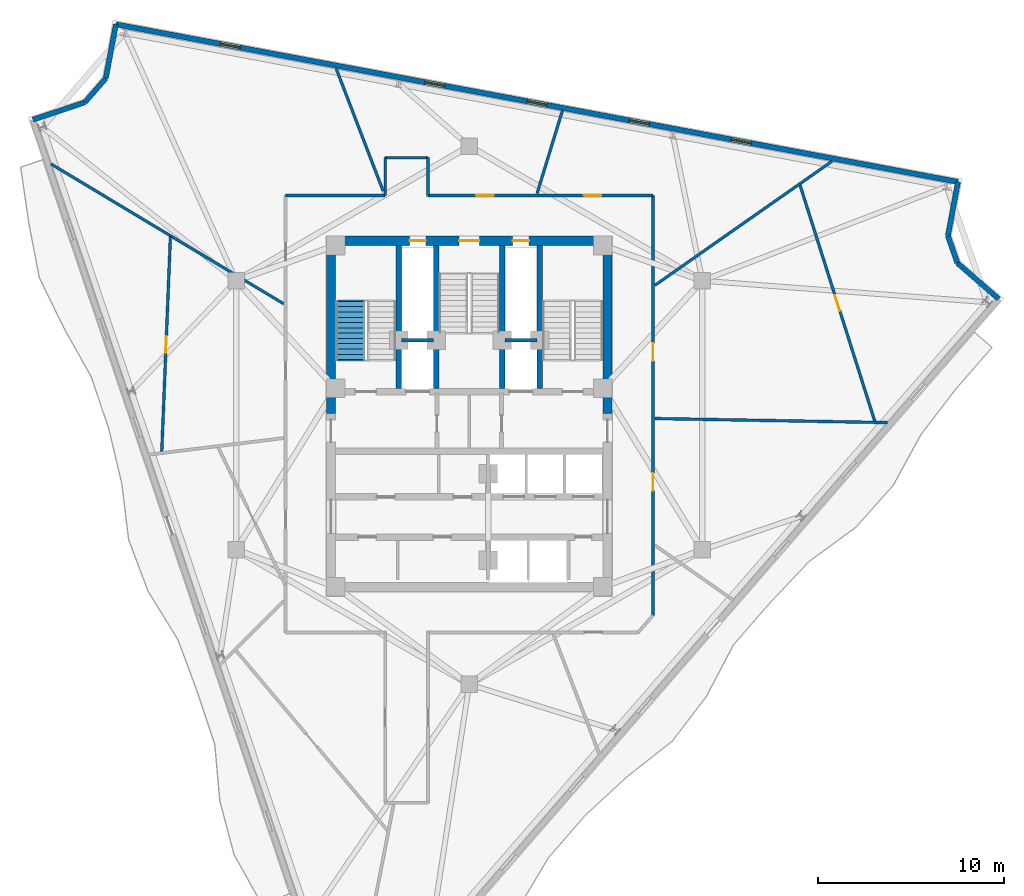
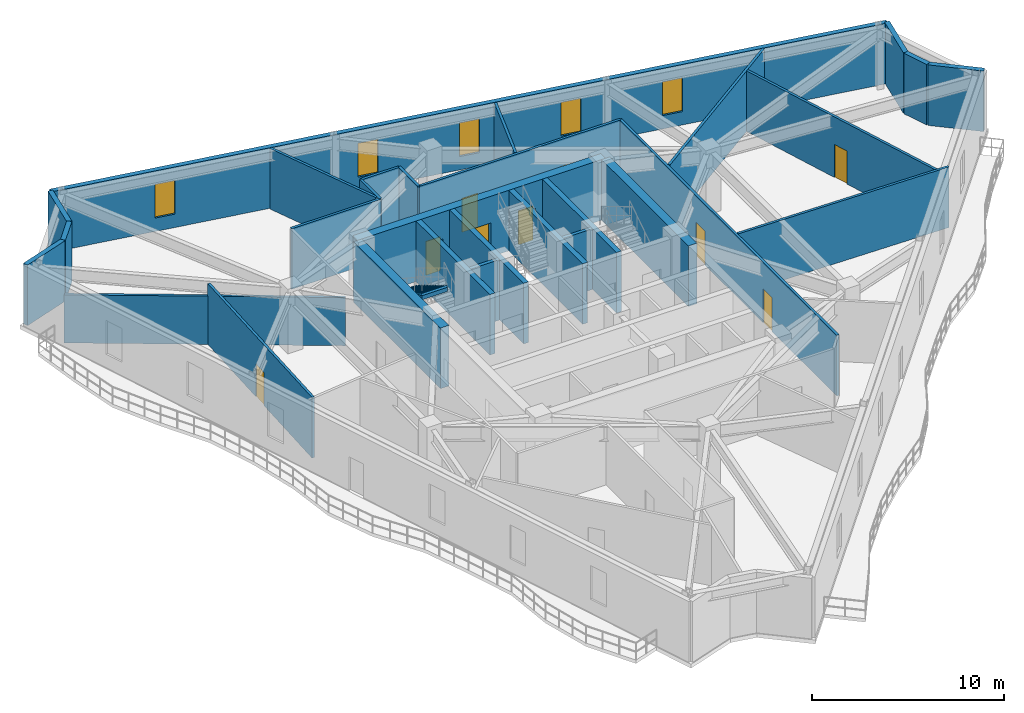
# One storey, part 6 of 10: 29 walls, 9 doors, 5 windows, 1 stair flight, 14 openings, 1 element without a shape of its own.
"""IFC4 building model written with IfcOpenShell, lengths in metres."""

from ifc_helpers import new_model, si_unit, direction, frame, frame_2d, origin, place, context, subcontext, project, spatial, polyline, rectangle, outline, extrude, material, layer, layer_set, type_object, element, fill, aggregate, save


model = new_model("IFC4")

# Units and contexts
model_context = context("Model", 3, precision=1e-05, world=origin(), true_north=direction((0.0, 1.0)))
body_context = subcontext(model_context, "Body", "Model", "MODEL_VIEW")
ifc_project = project(units=[si_unit("LENGTHUNIT", "METRE"), si_unit("AREAUNIT", "SQUARE_METRE"), si_unit("VOLUMEUNIT", "CUBIC_METRE"), si_unit("PLANEANGLEUNIT", "RADIAN"), si_unit("MASSUNIT", "GRAM", prefix="KILO")], contexts=[model_context])

# Site, building, storey
site_placement = place(None, origin())
site = spatial("IfcSite", under=ifc_project, at=site_placement, CompositionType="ELEMENT")
building_placement = place(site_placement, origin())
building = spatial("IfcBuilding", under=site, at=building_placement, Name="Apsidion Concourse Tower", CompositionType="ELEMENT")
storey_placement = place(building_placement, frame((0.0, 0.0, 269.60009765625)))
storey = spatial("IfcBuildingStorey", under=building, at=storey_placement, Name="L63", CompositionType="ELEMENT", Elevation=269.60009765625)

# Wall, openings, windows
ifc_material_1 = material(Name="Precast concrete C40/50", Category="concrete")
ifc_layer_1 = layer(ifc_material_1, 0.280029296875)
ifc_layer_set_1 = layer_set([ifc_layer_1], Name="Precast concrete C40/50")
wall_type_1 = type_object("IfcWallType", Name="WL-EXT-280", PredefinedType="STANDARD", material=ifc_layer_set_1)
wall_1_placement = place(storey_placement, frame((-19.04150390625, 21.06640625, 0.0), z_axis=(0.0, 0.0, 1.0), x_axis=(0.982948140881, -0.183882985453, 0.0)))
wall_1 = element("IfcWall", 1, at=wall_1_placement, inside=storey, type_object=wall_type_1, Name="L63 Precast Stone Facade Wall 01", PredefinedType="STANDARD", context=body_context, shape_type="SweptSolid", body=[
    extrude(rectangle(XDim=46.16259765625, YDim=0.280029296875, at=frame_2d((23.081298828125, 0.0))), origin(), (0.0, 0.0, 1.0), 3.849853515625),
])
opening_1_placement = place(wall_1_placement, frame((5.731201171875, 0.0, 0.85009765625)))
opening_1 = element("IfcOpeningElement", 2, at=opening_1_placement, cuts=wall_1, Name="Opening WN-07", PredefinedType="OPENING", context=body_context, shape_type="SweptSolid", body=[
    extrude(rectangle(XDim=1.10009765625, YDim=2.14990234375, at=frame_2d((0.550048828125, 1.074951171875))), frame((0.0, 0.14990234375, 0.0), z_axis=(0.0, -1.0, 0.0), x_axis=(1.0, 0.0, 0.0)), (0.0, 0.0, 1.0), 0.300048828125),
])
opening_2_placement = place(wall_1_placement, frame((16.931396484375, 0.0, 0.85009765625)))
opening_2 = element("IfcOpeningElement", 3, at=opening_2_placement, cuts=wall_1, Name="Opening WN-07", PredefinedType="OPENING", context=body_context, shape_type="SweptSolid", body=[
    extrude(rectangle(XDim=1.10009765625, YDim=2.14990234375, at=frame_2d((0.550048828125, 1.074951171875))), frame((0.0, 0.14990234375, 0.0), z_axis=(0.0, -1.0, 0.0), x_axis=(1.0, 0.0, 0.0)), (0.0, 0.0, 1.0), 0.300048828125),
])
opening_3_placement = place(wall_1_placement, frame((22.53125, 0.0, 0.85009765625)))
opening_3 = element("IfcOpeningElement", 4, at=opening_3_placement, cuts=wall_1, Name="Opening WN-07", PredefinedType="OPENING", context=body_context, shape_type="SweptSolid", body=[
    extrude(rectangle(XDim=1.10009765625, YDim=2.14990234375, at=frame_2d((0.550048828125, 1.074951171875))), frame((0.0, 0.14990234375, 0.0), z_axis=(0.0, -1.0, 0.0), x_axis=(1.0, 0.0, 0.0)), (0.0, 0.0, 1.0), 0.300048828125),
])
opening_4_placement = place(wall_1_placement, frame((28.13134765625, 0.0, 0.85009765625)))
opening_4 = element("IfcOpeningElement", 5, at=opening_4_placement, cuts=wall_1, Name="Opening WN-07", PredefinedType="OPENING", context=body_context, shape_type="SweptSolid", body=[
    extrude(rectangle(XDim=1.10009765625, YDim=2.14990234375, at=frame_2d((0.550048828125, 1.074951171875))), frame((0.0, 0.14990234375, 0.0), z_axis=(0.0, -1.0, 0.0), x_axis=(1.0, 0.0, 0.0)), (0.0, 0.0, 1.0), 0.300048828125),
])
opening_5_placement = place(wall_1_placement, frame((33.731201171875, 0.0, 0.85009765625)))
opening_5 = element("IfcOpeningElement", 6, at=opening_5_placement, cuts=wall_1, Name="Opening WN-07", PredefinedType="OPENING", context=body_context, shape_type="SweptSolid", body=[
    extrude(rectangle(XDim=1.10009765625, YDim=2.14990234375, at=frame_2d((0.550048828125, 1.074951171875))), frame((0.0, 0.14990234375, 0.0), z_axis=(0.0, -1.0, 0.0), x_axis=(1.0, 0.0, 0.0)), (0.0, 0.0, 1.0), 0.300048828125),
])
ifc_material_2 = material(Name="Insulated laminated low-E glass", Category="glass")
window_type = type_object("IfcWindowType", Name="WN-OFF-1123", PartitioningType="SINGLE_PANEL", PredefinedType="WINDOW", material=ifc_material_2)
window_1_placement = place(opening_1_placement, origin())
window_1 = element("IfcWindow", 7, at=window_1_placement, inside=storey, type_object=window_type, Name="L63 Punched Facade Window 1-01", OverallHeight=2.14990234375, OverallWidth=1.10009765625, PartitioningType="SINGLE_PANEL", PredefinedType="WINDOW", context=body_context, shape_type="SweptSolid", body=[
    extrude(rectangle(XDim=1.10009765625, YDim=2.14990234375, at=frame_2d((0.550048828125, 1.074951171875))), frame((0.0, 0.030029296875, 0.0), z_axis=(0.0, -1.0, 0.0), x_axis=(1.0, 0.0, 0.0)), (0.0, 0.0, 1.0), 0.06005859375),
])
fill(opening_1, window_1)
window_2_placement = place(opening_2_placement, origin())
window_2 = element("IfcWindow", 8, at=window_2_placement, inside=storey, type_object=window_type, Name="L63 Punched Facade Window 1-03", OverallHeight=2.14990234375, OverallWidth=1.10009765625, PartitioningType="SINGLE_PANEL", PredefinedType="WINDOW", context=body_context, shape_type="SweptSolid", body=[
    extrude(rectangle(XDim=1.10009765625, YDim=2.14990234375, at=frame_2d((0.550048828125, 1.074951171875))), frame((0.0, 0.030029296875, 0.0), z_axis=(0.0, -1.0, 0.0), x_axis=(1.0, 0.0, 0.0)), (0.0, 0.0, 1.0), 0.06005859375),
])
fill(opening_2, window_2)
window_3_placement = place(opening_3_placement, origin())
window_3 = element("IfcWindow", 9, at=window_3_placement, inside=storey, type_object=window_type, Name="L63 Punched Facade Window 1-04", OverallHeight=2.14990234375, OverallWidth=1.10009765625, PartitioningType="SINGLE_PANEL", PredefinedType="WINDOW", context=body_context, shape_type="SweptSolid", body=[
    extrude(rectangle(XDim=1.10009765625, YDim=2.14990234375, at=frame_2d((0.550048828125, 1.074951171875))), frame((0.0, 0.030029296875, 0.0), z_axis=(0.0, -1.0, 0.0), x_axis=(1.0, 0.0, 0.0)), (0.0, 0.0, 1.0), 0.06005859375),
])
fill(opening_3, window_3)
window_4_placement = place(opening_4_placement, origin())
window_4 = element("IfcWindow", 10, at=window_4_placement, inside=storey, type_object=window_type, Name="L63 Punched Facade Window 1-05", OverallHeight=2.14990234375, OverallWidth=1.10009765625, PartitioningType="SINGLE_PANEL", PredefinedType="WINDOW", context=body_context, shape_type="SweptSolid", body=[
    extrude(rectangle(XDim=1.10009765625, YDim=2.14990234375, at=frame_2d((0.550048828125, 1.074951171875))), frame((0.0, 0.030029296875, 0.0), z_axis=(0.0, -1.0, 0.0), x_axis=(1.0, 0.0, 0.0)), (0.0, 0.0, 1.0), 0.06005859375),
])
fill(opening_4, window_4)
window_5_placement = place(opening_5_placement, origin())
window_5 = element("IfcWindow", 11, at=window_5_placement, inside=storey, type_object=window_type, Name="L63 Punched Facade Window 1-06", OverallHeight=2.14990234375, OverallWidth=1.10009765625, PartitioningType="SINGLE_PANEL", PredefinedType="WINDOW", context=body_context, shape_type="SweptSolid", body=[
    extrude(rectangle(XDim=1.10009765625, YDim=2.14990234375, at=frame_2d((0.550048828125, 1.074951171875))), frame((0.0, 0.030029296875, 0.0), z_axis=(0.0, -1.0, 0.0), x_axis=(1.0, 0.0, 0.0)), (0.0, 0.0, 1.0), 0.06005859375),
])
fill(opening_5, window_5)

# Walls
wall_2_placement = place(storey_placement, frame((26.333984375, 12.577880859375, 0.0), z_axis=(0.0, 0.0, 1.0), x_axis=(-0.183929325972, -0.982939470694, 0.0)))
element("IfcWall", 12, at=wall_2_placement, inside=storey, type_object=wall_type_1, Name="L63 Precast Stone Facade Wall 02", PredefinedType="STANDARD", context=body_context, shape_type="SweptSolid", body=[
    extrude(rectangle(XDim=2.95458984375, YDim=0.280029296875, at=frame_2d((1.477294921875, 0.0))), origin(), (0.0, 0.0, 1.0), 3.849853515625),
])
wall_3_placement = place(storey_placement, frame((25.79052734375, 9.673583984375, 0.0), z_axis=(0.0, 0.0, 1.0), x_axis=(0.328922695325, -0.944356850189, 0.0)))
element("IfcWall", 13, at=wall_3_placement, inside=storey, type_object=wall_type_1, Name="L63 Precast Stone Facade Wall 03", PredefinedType="STANDARD", context=body_context, shape_type="SweptSolid", body=[
    extrude(rectangle(XDim=1.55419921875, YDim=0.280029296875, at=frame_2d((0.777099609375, 0.0))), origin(), (0.0, 0.0, 1.0), 3.849853515625),
])
wall_4_placement = place(storey_placement, frame((26.3017578125, 8.205810546875, 0.0), z_axis=(0.0, 0.0, 1.0), x_axis=(0.754717590568, -0.656049814028, 0.0)))
element("IfcWall", 14, at=wall_4_placement, inside=storey, type_object=wall_type_1, Name="L63 Precast Stone Facade Wall 04", PredefinedType="STANDARD", context=body_context, shape_type="SweptSolid", body=[
    extrude(rectangle(XDim=2.954345703125, YDim=0.280029296875, at=frame_2d((1.47705078125, 0.0))), origin(), (0.0, 0.0, 1.0), 3.849853515625),
])
wall_5_placement = place(storey_placement, frame((-23.511474609375, 15.92431640625, 0.0), z_axis=(0.0, 0.0, 1.0), x_axis=(0.9478040536, 0.31885337693, 0.0)))
element("IfcWall", 15, at=wall_5_placement, inside=storey, type_object=wall_type_1, Name="L63 Precast Stone Facade Wall 10", PredefinedType="STANDARD", context=body_context, shape_type="SweptSolid", body=[
    extrude(rectangle(XDim=2.95556640625, YDim=0.280029296875, at=frame_2d((1.477783203125, 0.0))), origin(), (0.0, 0.0, 1.0), 3.849853515625),
])
wall_6_placement = place(storey_placement, frame((-20.710205078125, 16.86669921875, 0.0), z_axis=(0.0, 0.0, 1.0), x_axis=(0.656062411204, 0.754706640096, 0.0)))
element("IfcWall", 16, at=wall_6_placement, inside=storey, type_object=wall_type_1, Name="L63 Precast Stone Facade Wall 11", PredefinedType="STANDARD", context=body_context, shape_type="SweptSolid", body=[
    extrude(rectangle(XDim=1.715087890625, YDim=0.280029296875, at=frame_2d((0.857421875, 0.0))), origin(), (0.0, 0.0, 1.0), 3.849853515625),
])
wall_7_placement = place(storey_placement, frame((-19.5849609375, 18.1611328125, 0.0), z_axis=(0.0, 0.0, 1.0), x_axis=(0.183869591509, 0.982950646431, 0.0)))
element("IfcWall", 17, at=wall_7_placement, inside=storey, type_object=wall_type_1, Name="L63 Precast Stone Facade Wall 12", PredefinedType="STANDARD", context=body_context, shape_type="SweptSolid", body=[
    extrude(rectangle(XDim=2.95556640625, YDim=0.280029296875, at=frame_2d((1.477783203125, 0.0))), origin(), (0.0, 0.0, 1.0), 3.849853515625),
])
ifc_material_3 = material(Name="Gypsum plasterboard partition")
ifc_layer_2 = layer(ifc_material_3, 0.14990234375)
ifc_layer_set_2 = layer_set([ifc_layer_2], Name="Gypsum plasterboard partition")
wall_type_2 = type_object("IfcWallType", Name="WL-INT-PAR-150", PredefinedType="PARTITIONING", material=ifc_layer_set_2)
wall_8_placement = place(storey_placement, frame((-9.89990234375, 11.85009765625, 0.0), z_axis=(0.0, 0.0, 1.0), x_axis=(1.0, 0.0, 0.0)))
element("IfcWall", 18, at=wall_8_placement, inside=storey, type_object=wall_type_2, Name="L63 Interior Partition WL-L63-CORR-03", PredefinedType="PARTITIONING", context=body_context, shape_type="SweptSolid", body=[
    extrude(rectangle(XDim=5.369873046875, YDim=0.14990234375, at=frame_2d((2.68505859375, 0.0))), origin(), (0.0, 0.0, 1.0), 3.849853515625),
])
wall_9_placement = place(storey_placement, frame((-4.530029296875, 11.85009765625, 0.0), z_axis=(0.0, 0.0, 1.0), x_axis=(0.0, 1.0, 0.0)))
element("IfcWall", 19, at=wall_9_placement, inside=storey, type_object=wall_type_2, Name="L63 Interior Partition WL-L63-CORR-04", PredefinedType="PARTITIONING", context=body_context, shape_type="SweptSolid", body=[
    extrude(rectangle(XDim=2.02978515625, YDim=0.14990234375, at=frame_2d((1.014892578125, 0.0))), origin(), (0.0, 0.0, 1.0), 3.849853515625),
])
wall_10_placement = place(storey_placement, frame((-4.530029296875, 13.8798828125, 0.0), z_axis=(0.0, 0.0, 1.0), x_axis=(1.0, 0.0, 0.0)))
element("IfcWall", 20, at=wall_10_placement, inside=storey, type_object=wall_type_2, Name="L63 Interior Partition WL-L63-CORR-05", PredefinedType="PARTITIONING", context=body_context, shape_type="SweptSolid", body=[
    extrude(rectangle(XDim=2.31005859375, YDim=0.14990234375, at=frame_2d((1.155029296875, 0.0))), origin(), (0.0, 0.0, 1.0), 3.849853515625),
])
wall_11_placement = place(storey_placement, frame((-2.219970703125, 13.8798828125, 0.0), z_axis=(0.0, 0.0, 1.0), x_axis=(0.0, -1.0, 0.0)))
element("IfcWall", 21, at=wall_11_placement, inside=storey, type_object=wall_type_2, Name="L63 Interior Partition WL-L63-CORR-06", PredefinedType="PARTITIONING", context=body_context, shape_type="SweptSolid", body=[
    extrude(rectangle(XDim=2.02978515625, YDim=0.14990234375, at=frame_2d((1.014892578125, 0.0))), origin(), (0.0, 0.0, 1.0), 3.849853515625),
])

# Wall, openings, doors
wall_12_placement = place(storey_placement, frame((-2.219970703125, 11.85009765625, 0.0), z_axis=(0.0, 0.0, 1.0), x_axis=(1.0, 0.0, 0.0)))
wall_12 = element("IfcWall", 22, at=wall_12_placement, inside=storey, type_object=wall_type_2, Name="L63 Interior Partition WL-L63-CORR-07", PredefinedType="PARTITIONING", context=body_context, shape_type="SweptSolid", body=[
    extrude(rectangle(XDim=12.119873046875, YDim=0.14990234375, at=frame_2d((6.06005859375, 0.0))), origin(), (0.0, 0.0, 1.0), 3.849853515625),
])
opening_6_placement = place(wall_12_placement, frame((8.393310546875, 0.0, 0.0)))
opening_6 = element("IfcOpeningElement", 23, at=opening_6_placement, cuts=wall_12, Name="Opening D-01L", PredefinedType="OPENING", context=body_context, shape_type="SweptSolid", body=[
    extrude(rectangle(XDim=0.949951171875, YDim=2.14990234375, at=frame_2d((0.47509765625, 1.074951171875))), frame((0.0, 0.0849609375, 0.0), z_axis=(0.0, -1.0, 0.0), x_axis=(1.0, 0.0, 0.0)), (0.0, 0.0, 1.0), 0.169921875),
])
opening_7_placement = place(wall_12_placement, frame((2.585205078125, 0.0, 0.0)))
opening_7 = element("IfcOpeningElement", 24, at=opening_7_placement, cuts=wall_12, Name="Opening D-01R", PredefinedType="OPENING", context=body_context, shape_type="SweptSolid", body=[
    extrude(rectangle(XDim=0.949951171875, YDim=2.14990234375, at=frame_2d((0.47509765625, 1.074951171875))), frame((0.0, 0.0849609375, 0.0), z_axis=(0.0, -1.0, 0.0), x_axis=(1.0, 0.0, 0.0)), (0.0, 0.0, 1.0), 0.169921875),
])
ifc_material_4 = material(Name="Brushed stainless steel 316", Category="steel")
door_type_1 = type_object("IfcDoorType", Name="DR-INT-D01L", OperationType="SINGLE_SWING_LEFT", PredefinedType="DOOR", material=ifc_material_4)
door_1_placement = place(opening_6_placement, origin())
door_1 = element("IfcDoor", 25, at=door_1_placement, inside=storey, type_object=door_type_1, Name="L63 Corridor Entry Door 07", OperationType="SINGLE_SWING_LEFT", OverallHeight=2.14990234375, OverallWidth=0.949951171875, PredefinedType="DOOR", context=body_context, shape_type="SweptSolid", body=[
    extrude(rectangle(XDim=0.949951171875, YDim=2.14990234375, at=frame_2d((0.47509765625, 1.074951171875))), frame((0.0, 0.02490234375, 0.0), z_axis=(0.0, -1.0, 0.0), x_axis=(1.0, 0.0, 0.0)), (0.0, 0.0, 1.0), 0.050048828125),
])
fill(opening_6, door_1)
door_type_2 = type_object("IfcDoorType", Name="DR-INT-D01R", OperationType="SINGLE_SWING_RIGHT", PredefinedType="DOOR", material=ifc_material_4)
door_2_placement = place(opening_7_placement, origin())
door_2 = element("IfcDoor", 26, at=door_2_placement, inside=storey, type_object=door_type_2, Name="L63 Corridor Entry Door 08", OperationType="SINGLE_SWING_RIGHT", OverallHeight=2.14990234375, OverallWidth=0.949951171875, PredefinedType="DOOR", context=body_context, shape_type="SweptSolid", body=[
    extrude(rectangle(XDim=0.949951171875, YDim=2.14990234375, at=frame_2d((0.47509765625, 1.074951171875))), frame((0.0, 0.02490234375, 0.0), z_axis=(0.0, -1.0, 0.0), x_axis=(1.0, 0.0, 0.0)), (0.0, 0.0, 1.0), 0.050048828125),
])
fill(opening_7, door_2)

wall_13_placement = place(storey_placement, frame((9.89990234375, 11.85009765625, 0.0), z_axis=(0.0, 0.0, 1.0), x_axis=(0.0, -1.0, 0.0)))
wall_13 = element("IfcWall", 27, at=wall_13_placement, inside=storey, type_object=wall_type_2, Name="L63 Interior Partition WL-L63-CORR-08", PredefinedType="PARTITIONING", context=body_context, shape_type="SweptSolid", body=[
    extrude(rectangle(XDim=22.633544921875, YDim=0.14990234375, at=frame_2d((11.31689453125, 0.0))), origin(), (0.0, 0.0, 1.0), 3.849853515625),
])
opening_8_placement = place(wall_13_placement, frame((14.96337890625, 0.0, 0.0)))
opening_8 = element("IfcOpeningElement", 28, at=opening_8_placement, cuts=wall_13, Name="Opening D-01L", PredefinedType="OPENING", context=body_context, shape_type="SweptSolid", body=[
    extrude(rectangle(XDim=0.949951171875, YDim=2.14990234375, at=frame_2d((0.47509765625, 1.074951171875))), frame((0.0, 0.0849609375, 0.0), z_axis=(0.0, -1.0, 0.0), x_axis=(1.0, 0.0, 0.0)), (0.0, 0.0, 1.0), 0.169921875),
])
opening_9_placement = place(wall_13_placement, frame((7.962890625, 0.0, 0.0)))
opening_9 = element("IfcOpeningElement", 29, at=opening_9_placement, cuts=wall_13, Name="Opening D-01R", PredefinedType="OPENING", context=body_context, shape_type="SweptSolid", body=[
    extrude(rectangle(XDim=0.949951171875, YDim=2.14990234375, at=frame_2d((0.47509765625, 1.074951171875))), frame((0.0, 0.0849609375, 0.0), z_axis=(0.0, -1.0, 0.0), x_axis=(1.0, 0.0, 0.0)), (0.0, 0.0, 1.0), 0.169921875),
])
door_3_placement = place(opening_8_placement, origin())
door_3 = element("IfcDoor", 30, at=door_3_placement, inside=storey, type_object=door_type_1, Name="L63 Corridor Entry Door 05", OperationType="SINGLE_SWING_LEFT", OverallHeight=2.14990234375, OverallWidth=0.949951171875, PredefinedType="DOOR", context=body_context, shape_type="SweptSolid", body=[
    extrude(rectangle(XDim=0.949951171875, YDim=2.14990234375, at=frame_2d((0.47509765625, 1.074951171875))), frame((0.0, 0.02490234375, 0.0), z_axis=(0.0, -1.0, 0.0), x_axis=(1.0, 0.0, 0.0)), (0.0, 0.0, 1.0), 0.050048828125),
])
fill(opening_8, door_3)
door_4_placement = place(opening_9_placement, origin())
door_4 = element("IfcDoor", 31, at=door_4_placement, inside=storey, type_object=door_type_2, Name="L63 Corridor Entry Door 06", OperationType="SINGLE_SWING_RIGHT", OverallHeight=2.14990234375, OverallWidth=0.949951171875, PredefinedType="DOOR", context=body_context, shape_type="SweptSolid", body=[
    extrude(rectangle(XDim=0.949951171875, YDim=2.14990234375, at=frame_2d((0.47509765625, 1.074951171875))), frame((0.0, 0.02490234375, 0.0), z_axis=(0.0, -1.0, 0.0), x_axis=(1.0, 0.0, 0.0)), (0.0, 0.0, 1.0), 0.050048828125),
])
fill(opening_9, door_4)

# Walls
wall_14_placement = place(storey_placement, frame((10.0048828125, 7.005615234375, 0.0), z_axis=(0.0, 0.0, 1.0), x_axis=(0.819159076048, 0.573566393828, 0.0)))
element("IfcWall", 32, at=wall_14_placement, inside=storey, type_object=wall_type_2, Name="L63 Interior Partition WL-L63-RAD-01-1", PredefinedType="PARTITIONING", context=body_context, shape_type="SweptSolid", body=[
    extrude(rectangle(XDim=11.652587890625, YDim=0.14990234375, at=frame_2d((5.826171875, 0.0))), origin(), (0.0, 0.0, 1.0), 3.849853515625),
])
wall_15_placement = place(storey_placement, frame((3.655029296875, 11.955078125, 0.0), z_axis=(0.0, 0.0, 1.0), x_axis=(0.29239435335, 0.95629783129, 0.0)))
element("IfcWall", 33, at=wall_15_placement, inside=storey, type_object=wall_type_2, Name="L63 Interior Partition WL-L63-RAD-02-1", PredefinedType="PARTITIONING", context=body_context, shape_type="SweptSolid", body=[
    extrude(rectangle(XDim=4.65673828125, YDim=0.14990234375, at=frame_2d((2.328369140625, 0.0))), origin(), (0.0, 0.0, 1.0), 3.849853515625),
])
wall_16_placement = place(storey_placement, frame((-4.635009765625, 12.07470703125, 0.0), z_axis=(0.0, 0.0, 1.0), x_axis=(-0.358360123147, 0.933583430732, 0.0)))
element("IfcWall", 34, at=wall_16_placement, inside=storey, type_object=wall_type_2, Name="L63 Interior Partition WL-L63-RAD-03-1", PredefinedType="PARTITIONING", context=body_context, shape_type="SweptSolid", body=[
    extrude(rectangle(XDim=7.08447265625, YDim=0.14990234375, at=frame_2d((3.542236328125, 0.0))), origin(), (0.0, 0.0, 1.0), 3.849853515625),
])
wall_17_placement = place(storey_placement, frame((-10.0048828125, 6.01171875, 0.0), z_axis=(0.0, 0.0, 1.0), x_axis=(-0.857171850512, 0.515030502679, 0.0)))
element("IfcWall", 35, at=wall_17_placement, inside=storey, type_object=wall_type_2, Name="L63 Interior Partition WL-L63-RAD-04-1", PredefinedType="PARTITIONING", context=body_context, shape_type="SweptSolid", body=[
    extrude(rectangle(XDim=14.6337890625, YDim=0.14990234375, at=frame_2d((7.31689453125, 0.0))), origin(), (0.0, 0.0, 1.0), 3.059814453125),
])
wall_18_placement = place(storey_placement, frame((10.0048828125, -0.174560546875, 0.0), z_axis=(0.0, 0.0, 1.0), x_axis=(0.999847666642, -0.017454039966, 0.0)))
element("IfcWall", 36, at=wall_18_placement, inside=storey, type_object=wall_type_2, Name="L63 Interior Partition WL-L63-RAD-10-1", PredefinedType="PARTITIONING", context=body_context, shape_type="SweptSolid", body=[
    extrude(rectangle(XDim=12.532958984375, YDim=0.14990234375, at=frame_2d((6.2666015625, 0.0))), origin(), (0.0, 0.0, 1.0), 3.849853515625),
])

# Wall, opening, door
wall_19_placement = place(storey_placement, frame((21.86181640625, -0.356689453125, 0.0), z_axis=(0.0, 0.0, 1.0), x_axis=(-0.301726678662, 0.95339446788, 0.0)))
wall_19 = element("IfcWall", 37, at=wall_19_placement, inside=storey, type_object=wall_type_2, Name="L63 Interior Partition WL-L63-CHD-OFS05", PredefinedType="PARTITIONING", context=body_context, shape_type="SweptSolid", body=[
    extrude(rectangle(XDim=13.423828125, YDim=0.14990234375, at=frame_2d((6.7119140625, 0.0))), origin(), (0.0, 0.0, 1.0), 3.849853515625),
])
opening_10_placement = place(wall_19_placement, frame((6.26171875, 0.0, 0.0)))
opening_10 = element("IfcOpeningElement", 38, at=opening_10_placement, cuts=wall_19, Name="Opening D-02R", PredefinedType="OPENING", context=body_context, shape_type="SweptSolid", body=[
    extrude(rectangle(XDim=0.89990234375, YDim=2.10009765625, at=frame_2d((0.449951171875, 1.050048828125))), frame((0.0, 0.0849609375, 0.0), z_axis=(0.0, -1.0, 0.0), x_axis=(1.0, 0.0, 0.0)), (0.0, 0.0, 1.0), 0.169921875),
])
ifc_material_5 = material(Name="Anodised aluminium EN AW-6063 T6", Category="aluminium")
door_type_3 = type_object("IfcDoorType", Name="DR-INT-D02R", OperationType="SINGLE_SWING_RIGHT", PredefinedType="DOOR", material=ifc_material_5)
door_5_placement = place(opening_10_placement, origin())
door_5 = element("IfcDoor", 39, at=door_5_placement, inside=storey, type_object=door_type_3, Name="L63 Suite Connecting Door OFS05", OperationType="SINGLE_SWING_RIGHT", OverallHeight=2.10009765625, OverallWidth=0.89990234375, PredefinedType="DOOR", context=body_context, shape_type="SweptSolid", body=[
    extrude(rectangle(XDim=0.89990234375, YDim=2.10009765625, at=frame_2d((0.449951171875, 1.050048828125))), frame((0.0, 0.02490234375, 0.0), z_axis=(0.0, -1.0, 0.0), x_axis=(1.0, 0.0, 0.0)), (0.0, 0.0, 1.0), 0.050048828125),
])
fill(opening_10, door_5)

wall_20_placement = place(storey_placement, frame((-16.102783203125, 9.646484375, 0.0), z_axis=(0.0, 0.0, 1.0), x_axis=(-0.040078364855, -0.999196539561, 0.0)))
wall_20 = element("IfcWall", 40, at=wall_20_placement, inside=storey, type_object=wall_type_2, Name="L63 Interior Partition WL-L63-CHD-OFS09", PredefinedType="PARTITIONING", context=body_context, shape_type="SweptSolid", body=[
    extrude(rectangle(XDim=11.665283203125, YDim=0.14990234375, at=frame_2d((5.83251953125, 0.0))), origin(), (0.0, 0.0, 1.0), 3.849853515625),
])
opening_11_placement = place(wall_20_placement, frame((5.382568359375, 0.0, 0.0)))
opening_11 = element("IfcOpeningElement", 41, at=opening_11_placement, cuts=wall_20, Name="Opening D-02R", PredefinedType="OPENING", context=body_context, shape_type="SweptSolid", body=[
    extrude(rectangle(XDim=0.89990234375, YDim=2.10009765625, at=frame_2d((0.449951171875, 1.050048828125))), frame((0.0, 0.0849609375, 0.0), z_axis=(0.0, -1.0, 0.0), x_axis=(1.0, 0.0, 0.0)), (0.0, 0.0, 1.0), 0.169921875),
])
door_6_placement = place(opening_11_placement, origin())
door_6 = element("IfcDoor", 42, at=door_6_placement, inside=storey, type_object=door_type_3, Name="L63 Suite Connecting Door OFS09", OperationType="SINGLE_SWING_RIGHT", OverallHeight=2.10009765625, OverallWidth=0.89990234375, PredefinedType="DOOR", context=body_context, shape_type="SweptSolid", body=[
    extrude(rectangle(XDim=0.89990234375, YDim=2.10009765625, at=frame_2d((0.449951171875, 1.050048828125))), frame((0.0, 0.02490234375, 0.0), z_axis=(0.0, -1.0, 0.0), x_axis=(1.0, 0.0, 0.0)), (0.0, 0.0, 1.0), 0.050048828125),
])
fill(opening_11, door_6)

# Walls
ifc_layer_3 = layer(ifc_material_3, 0.199951171875)
ifc_layer_set_3 = layer_set([ifc_layer_3], Name="Gypsum plasterboard partition")
wall_type_3 = type_object("IfcWallType", Name="WL-INT-PAR-200", PredefinedType="PARTITIONING", material=ifc_layer_set_3)
for number, where, z_axis, x_axis, name in (
    (43, (-3.64990234375, 4.050048828125, 0.0), (0.0, 0.0, 1.0), (1.0, 0.0, 0.0), "L63 Interior Partition WL-L63-FF1-N"),
    (44, (1.919921875, 4.050048828125, 0.0), (0.0, 0.0, 1.0), (1.0, 0.0, 0.0), "L63 Interior Partition WL-L63-FF2-N"),
):
    element("IfcWall", number, at=place(storey_placement, frame(where, z_axis=z_axis, x_axis=x_axis)), inside=storey, type_object=wall_type_3, Name=name, PredefinedType="PARTITIONING", context=body_context, shape_type="SweptSolid", body=[
        extrude(rectangle(XDim=1.72998046875, YDim=0.199951171875, at=frame_2d((0.864990234375, 0.0))), origin(), (0.0, 0.0, 1.0), 3.849853515625),
    ])
ifc_material_6 = material(Name="Concrete C50/60", Category="concrete")
ifc_layer_4 = layer(ifc_material_6, 0.300048828125)
ifc_layer_set_4 = layer_set([ifc_layer_4], Name="Concrete C50/60")
wall_type_4 = type_object("IfcWallType", Name="WL-SH-300", PredefinedType="SHEAR", material=ifc_layer_set_4)
for number, where, z_axis, x_axis, name in (
    (45, (-3.800048828125, 1.449951171875, 0.0), (0.0, 0.0, 1.0), (0.0, 1.0, 0.0), "L63 Central Core Shear Wall V1"),
    (46, (-1.77490234375, 1.449951171875, 0.0), (0.0, 0.0, 1.0), (0.0, 1.0, 0.0), "L63 Central Core Shear Wall V2"),
    (47, (1.77490234375, 1.449951171875, 0.0), (0.0, 0.0, 1.0), (0.0, 1.0, 0.0), "L63 Central Core Shear Wall V3"),
    (48, (3.800048828125, 1.449951171875, 0.0), (0.0, 0.0, 1.0), (0.0, 1.0, 0.0), "L63 Central Core Shear Wall V4"),
):
    element("IfcWall", number, at=place(storey_placement, frame(where, z_axis=z_axis, x_axis=x_axis)), inside=storey, type_object=wall_type_4, Name=name, PredefinedType="SHEAR", context=body_context, shape_type="SweptSolid", body=[
        extrude(rectangle(XDim=7.699951171875, YDim=0.300048828125, at=frame_2d((3.85009765625, 0.0))), origin(), (0.0, 0.0, 1.0), 3.849853515625),
    ])

# Wall, openings, doors
ifc_layer_5 = layer(ifc_material_6, 0.5)
ifc_layer_set_5 = layer_set([ifc_layer_5], Name="Concrete C50/60")
wall_type_5 = type_object("IfcWallType", Name="WL-SH-500", PredefinedType="SHEAR", material=ifc_layer_set_5)
wall_21_placement = place(storey_placement, frame((-7.449951171875, 9.39990234375, 0.0), z_axis=(0.0, 0.0, 1.0), x_axis=(1.0, 0.0, 0.0)))
wall_21 = element("IfcWall", 49, at=wall_21_placement, inside=storey, type_object=wall_type_5, Name="L63 Central Core Shear Wall N", PredefinedType="SHEAR", context=body_context, shape_type="SweptSolid", body=[
    extrude(rectangle(XDim=14.89990234375, YDim=0.5, at=frame_2d((7.449951171875, 0.0))), origin(), (0.0, 0.0, 1.0), 3.849853515625),
])
opening_12_placement = place(wall_21_placement, frame((6.89990234375, 0.0, 0.0)))
opening_12 = element("IfcOpeningElement", 50, at=opening_12_placement, cuts=wall_21, Name="Opening D-STL", PredefinedType="OPENING", context=body_context, shape_type="SweptSolid", body=[
    extrude(rectangle(XDim=1.10009765625, YDim=2.14990234375, at=frame_2d((0.550048828125, 1.074951171875))), frame((0.0, 0.260009765625, 0.0), z_axis=(0.0, -1.0, 0.0), x_axis=(1.0, 0.0, 0.0)), (0.0, 0.0, 1.0), 0.52001953125),
])
opening_13_placement = place(wall_21_placement, frame((4.22998046875, 0.0, 0.0)))
opening_13 = element("IfcOpeningElement", 51, at=opening_13_placement, cuts=wall_21, Name="Opening D-05L", PredefinedType="OPENING", context=body_context, shape_type="SweptSolid", body=[
    extrude(rectangle(XDim=0.8798828125, YDim=2.14990234375, at=frame_2d((0.43994140625, 1.074951171875))), frame((0.0, 0.260009765625, 0.0), z_axis=(0.0, -1.0, 0.0), x_axis=(1.0, 0.0, 0.0)), (0.0, 0.0, 1.0), 0.52001953125),
])
opening_14_placement = place(wall_21_placement, frame((9.7900390625, 0.0, 0.0)))
opening_14 = element("IfcOpeningElement", 52, at=opening_14_placement, cuts=wall_21, Name="Opening D-05R", PredefinedType="OPENING", context=body_context, shape_type="SweptSolid", body=[
    extrude(rectangle(XDim=0.8798828125, YDim=2.14990234375, at=frame_2d((0.43994140625, 1.074951171875))), frame((0.0, 0.260009765625, 0.0), z_axis=(0.0, -1.0, 0.0), x_axis=(1.0, 0.0, 0.0)), (0.0, 0.0, 1.0), 0.52001953125),
])
door_type_4 = type_object("IfcDoorType", Name="DR-INT-D05L", OperationType="SINGLE_SWING_LEFT", PredefinedType="DOOR", material=ifc_material_4)
door_7_placement = place(opening_13_placement, origin())
door_7 = element("IfcDoor", 53, at=door_7_placement, inside=storey, type_object=door_type_4, Name="L63 Electrical Riser Shaft Access Door", OperationType="SINGLE_SWING_LEFT", OverallHeight=2.14990234375, OverallWidth=0.8798828125, PredefinedType="DOOR", context=body_context, shape_type="SweptSolid", body=[
    extrude(rectangle(XDim=0.8798828125, YDim=2.14990234375, at=frame_2d((0.43994140625, 1.074951171875))), frame((0.0, 0.02490234375, 0.0), z_axis=(0.0, -1.0, 0.0), x_axis=(1.0, 0.0, 0.0)), (0.0, 0.0, 1.0), 0.050048828125),
])
fill(opening_13, door_7)
door_type_5 = type_object("IfcDoorType", Name="DR-INT-D05R", OperationType="SINGLE_SWING_RIGHT", PredefinedType="DOOR", material=ifc_material_4)
door_8_placement = place(opening_14_placement, origin())
door_8 = element("IfcDoor", 54, at=door_8_placement, inside=storey, type_object=door_type_5, Name="L63 Mechanical Riser Shaft Access Door", OperationType="SINGLE_SWING_RIGHT", OverallHeight=2.14990234375, OverallWidth=0.8798828125, PredefinedType="DOOR", context=body_context, shape_type="SweptSolid", body=[
    extrude(rectangle(XDim=0.8798828125, YDim=2.14990234375, at=frame_2d((0.43994140625, 1.074951171875))), frame((0.0, 0.02490234375, 0.0), z_axis=(0.0, -1.0, 0.0), x_axis=(1.0, 0.0, 0.0)), (0.0, 0.0, 1.0), 0.050048828125),
])
fill(opening_14, door_8)
door_type_6 = type_object("IfcDoorType", Name="DR-INT-ST1L", OperationType="SINGLE_SWING_LEFT", PredefinedType="DOOR", material=ifc_material_4)
door_9_placement = place(opening_12_placement, origin())
door_9 = element("IfcDoor", 55, at=door_9_placement, inside=storey, type_object=door_type_6, Name="L63 Core Exit Stair ST3 Door", OperationType="SINGLE_SWING_LEFT", OverallHeight=2.14990234375, OverallWidth=1.10009765625, PredefinedType="DOOR", context=body_context, shape_type="SweptSolid", body=[
    extrude(rectangle(XDim=1.10009765625, YDim=2.14990234375, at=frame_2d((0.550048828125, 1.074951171875))), frame((0.0, 0.02490234375, 0.0), z_axis=(0.0, -1.0, 0.0), x_axis=(1.0, 0.0, 0.0)), (0.0, 0.0, 1.0), 0.050048828125),
])
fill(opening_12, door_9)

# Walls
for number, where, z_axis, x_axis, name in (
    (56, (-7.449951171875, 0.10009765625, 0.0), (0.0, 0.0, 1.0), (0.0, 1.0, 0.0), "L63 Central Core Shear Wall WN"),
    (57, (7.449951171875, 0.10009765625, 0.0), (0.0, 0.0, 1.0), (0.0, 1.0, 0.0), "L63 Central Core Shear Wall EN"),
):
    element("IfcWall", number, at=place(storey_placement, frame(where, z_axis=z_axis, x_axis=x_axis)), inside=storey, type_object=wall_type_5, Name=name, PredefinedType="SHEAR", context=body_context, shape_type="SweptSolid", body=[
        extrude(rectangle(XDim=9.0498046875, YDim=0.5, at=frame_2d((4.52490234375, 0.0))), origin(), (0.0, 0.0, 1.0), 3.849853515625),
    ])

# Stair, stair flight
stair_type = type_object("IfcStairType", Name="ST-DL-1550", PredefinedType="HALF_TURN_STAIR", material=ifc_material_1)
stair_placement = place(storey_placement, origin())
stair = element("IfcStair", 58, at=stair_placement, inside=storey, type_object=stair_type, Name="L63 Protected Core Exit Stair ST1", PredefinedType="HALF_TURN_STAIR")
stair_flight_type = type_object("IfcStairFlightType", Name="SFL-RC-1550", PredefinedType="STRAIGHT", material=ifc_material_1)
stair_flight_placement = place(storey_placement, frame((-6.425048828125, 6.135009765625, 2.0498046875), z_axis=(0.0, 0.0, 1.0), x_axis=(0.0, -1.0, 0.0)))
stair_flight = element("IfcStairFlight", 59, at=stair_flight_placement, type_object=stair_flight_type, Name="ST1 flight 2", NumberOfRisers=12, NumberOfTreads=11, PredefinedType="STRAIGHT", RiserHeight=0.170833333, TreadLength=0.285, context=body_context, shape_type="SweptSolid", body=[
    extrude(outline(polyline([(-0.080078125, -0.1123046875), (-0.080078125, 0.0), (0.0, 0.0), (0.0, 0.1708984375), (0.284912109375, 0.1708984375), (0.284912109375, 0.341552734375), (0.570068359375, 0.341552734375), (0.570068359375, 0.512451171875), (0.85498046875, 0.512451171875), (0.85498046875, 0.683349609375), (1.139892578125, 0.683349609375), (1.139892578125, 0.854248046875), (1.425048828125, 0.854248046875), (1.425048828125, 1.02490234375), (1.7099609375, 1.02490234375), (1.7099609375, 1.19580078125), (1.9951171875, 1.19580078125), (1.9951171875, 1.36669921875), (2.280029296875, 1.36669921875), (2.280029296875, 1.53759765625), (2.56494140625, 1.53759765625), (2.56494140625, 1.708251953125), (2.85009765625, 1.708251953125), (2.85009765625, 1.879150390625), (3.135009765625, 1.879150390625), (3.135009765625, 2.050048828125), (3.215087890625, 1.964599609375), (3.215087890625, 1.704345703125), (3.135009765625, 1.704345703125), (0.29150390625, 0.0), (0.29150390625, -0.1123046875), (-0.080078125, -0.1123046875)])), frame((0.0, 0.77490234375, 0.0), z_axis=(0.0, -1.0, 0.0), x_axis=(1.0, 0.0, 0.0)), (0.0, 0.0, 1.0), 1.550048828125),
])
aggregate(stair, [stair_flight])

save(model, "model.ifc")
